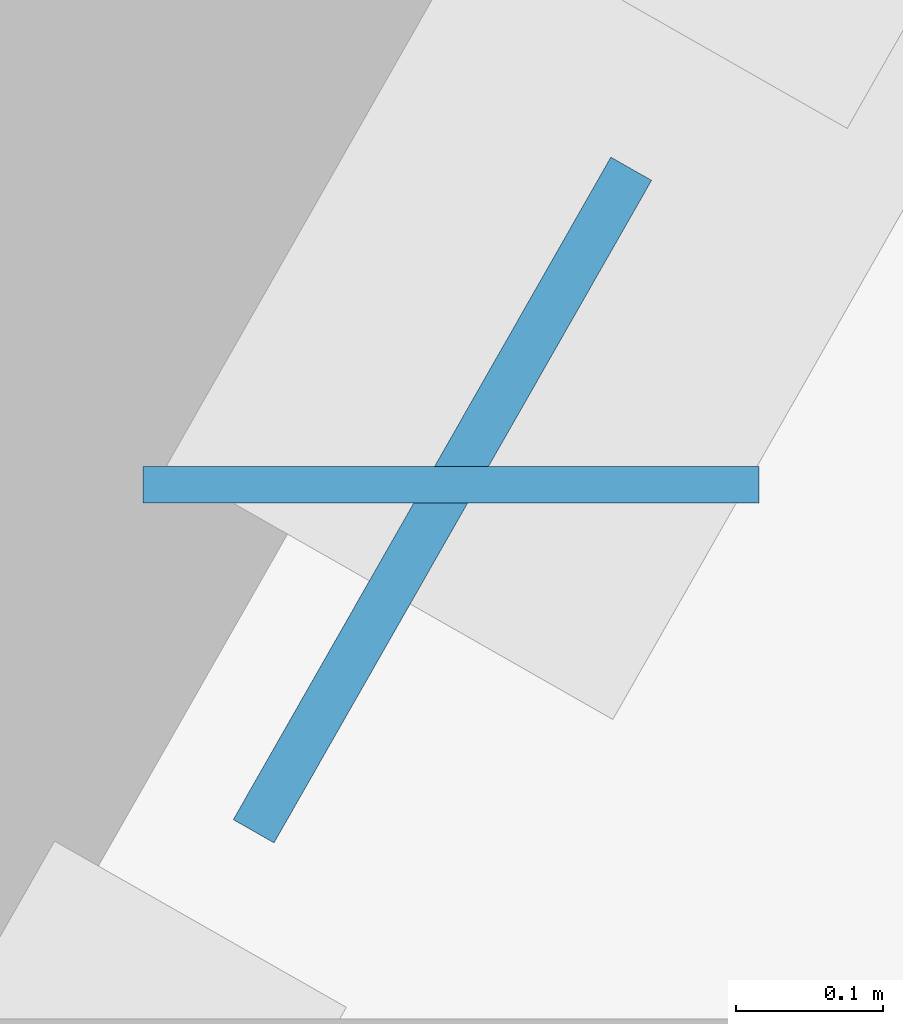
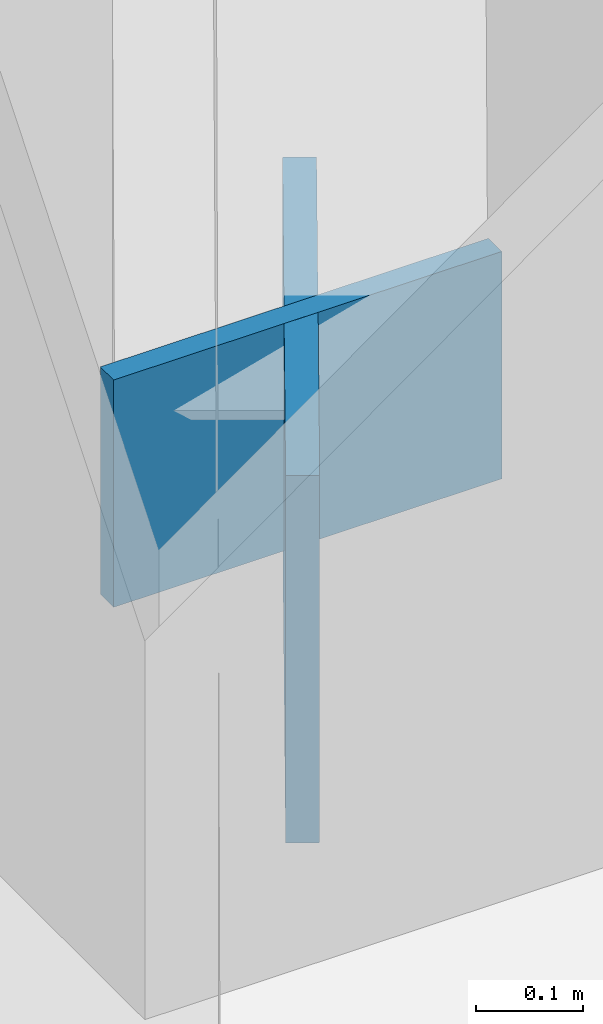
# One storey, part 6 of 13: 2 plates.
"""IFC4 building model written with IfcOpenShell, lengths in metres."""

from ifc_helpers import new_model, si_unit, direction, frame, origin, origin_2d, place, context, subcontext, project, spatial, rectangle, extrude, material, layer, layer_set, type_object, element, save


model = new_model("IFC4")

# Units and contexts
model_context = context("Model", 3, precision=1e-05, world=origin(), true_north=direction((0.0, 1.0)))
body_context = subcontext(model_context, "Body", "Model", "MODEL_VIEW")
ifc_project = project(units=[si_unit("LENGTHUNIT", "METRE"), si_unit("AREAUNIT", "SQUARE_METRE"), si_unit("VOLUMEUNIT", "CUBIC_METRE"), si_unit("PLANEANGLEUNIT", "RADIAN"), si_unit("MASSUNIT", "GRAM", prefix="KILO")], contexts=[model_context])

# Site, building, storey
site_placement = place(None, origin())
site = spatial("IfcSite", under=ifc_project, at=site_placement, CompositionType="ELEMENT")
building_placement = place(site_placement, origin())
building = spatial("IfcBuilding", under=site, at=building_placement, Name="Kavelnor Concourse Tower", CompositionType="ELEMENT")
storey_placement = place(building_placement, frame((0.0, 0.0, 36.800048828125)))
storey = spatial("IfcBuildingStorey", under=building, at=storey_placement, Name="L09", CompositionType="ELEMENT", Elevation=36.800048828125)

# Plates
ifc_material = material(Name="Steel Grade 350", Category="steel")
ifc_layer_1 = layer(ifc_material, 0.031982421875, Name="Steel Grade 350")
ifc_layer_set_1 = layer_set([ifc_layer_1], Name="Steel Grade 350")
plate_type_1 = type_object("IfcPlateType", Name="PL-GUSSET-TUBE-Z1", PredefinedType="USERDEFINED", material=ifc_layer_set_1)
plate_1_placement = place(storey_placement, frame((22.086181640625, 29.547607421875, 0.010009765625), z_axis=(0.0, 0.0, 1.0), x_axis=(0.495155428655, 0.868804409216, 0.0)))
element("IfcPlate", 1, at=plate_1_placement, inside=storey, type_object=plate_type_1, Name="L09 Tube Brace Gusset GP3 F0-B2 End Gusset A", ObjectType="GUSSET_PLATE", PredefinedType="USERDEFINED", context=body_context, shape_type="SweptSolid", body=[
    extrude(rectangle(XDim=0.52001953125, YDim=0.031982421875, at=origin_2d()), origin(), (0.0, 0.0, 1.0), 0.419921875),
])
ifc_layer_2 = layer(ifc_material, 0.02490234375, Name="Steel Grade 350")
ifc_layer_set_2 = layer_set([ifc_layer_2], Name="Steel Grade 350")
plate_type_2 = type_object("IfcPlateType", Name="PL-SPLICE-FLANGE", PredefinedType="SHEET", material=ifc_layer_set_2)
plate_2_placement = place(storey_placement, frame((22.092041015625, 29.557861328125, 0.169921875), z_axis=(0.0, 0.0, 1.0), x_axis=(1.0, 0.0, 0.0)))
element("IfcPlate", 2, at=plate_2_placement, inside=storey, type_object=plate_type_2, Name="L09 Column Flange Splice Plate F0-B3", PredefinedType="SHEET", context=body_context, shape_type="SweptSolid", body=[
    extrude(rectangle(XDim=0.419921875, YDim=0.02490234375, at=origin_2d()), origin(), (0.0, 0.0, 1.0), 0.260009765625),
])

save(model, "model.ifc")
